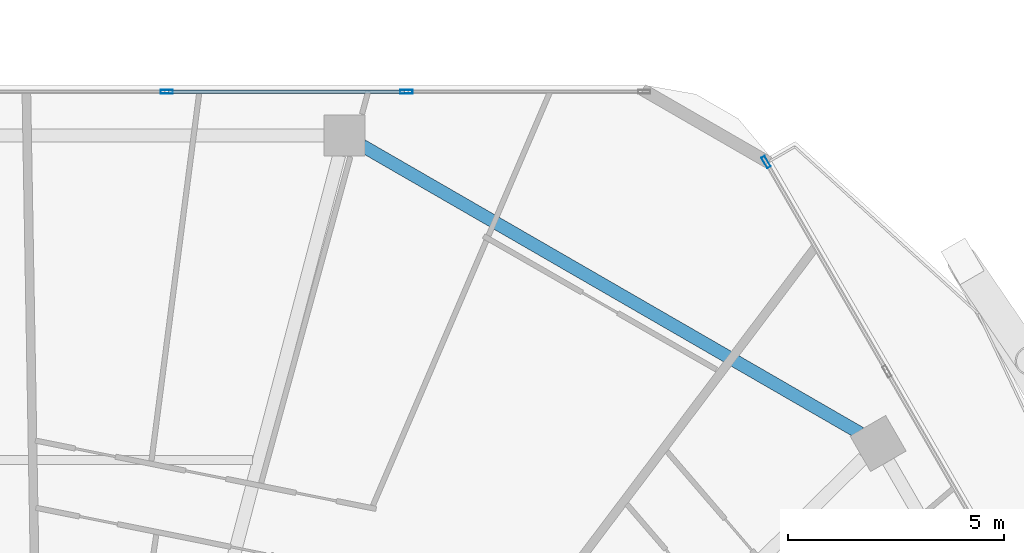
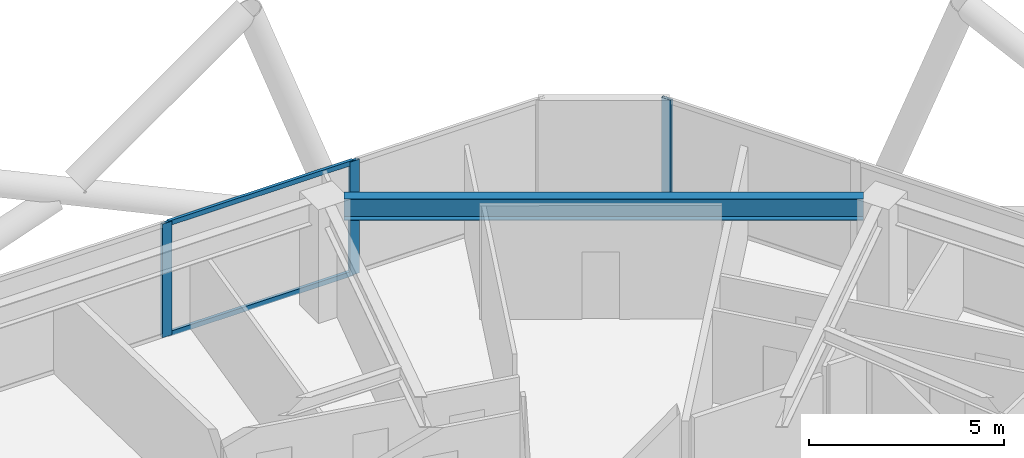
# One storey, part 17 of 29: 5 members, 1 beam, 2 elements without a shape of their own.
"""IFC4 building model written with IfcOpenShell, lengths in metres."""

from ifc_helpers import new_model, si_unit, direction, frame, origin, origin_2d, place, context, subcontext, project, spatial, hollow_rectangle, i_section, extrude, material, material_profile, profile_set, type_object, element, aggregate, save


model = new_model("IFC4")

# Units and contexts
model_context = context("Model", 3, precision=1e-05, world=origin(), true_north=direction((0.0, 1.0)))
body_context = subcontext(model_context, "Body", "Model", "MODEL_VIEW")
ifc_project = project(units=[si_unit("LENGTHUNIT", "METRE"), si_unit("AREAUNIT", "SQUARE_METRE"), si_unit("VOLUMEUNIT", "CUBIC_METRE"), si_unit("PLANEANGLEUNIT", "RADIAN"), si_unit("MASSUNIT", "GRAM", prefix="KILO")], contexts=[model_context])

# Site, building, storey
site_placement = place(None, origin())
site = spatial("IfcSite", under=ifc_project, at=site_placement, CompositionType="ELEMENT")
building_placement = place(site_placement, origin())
building = spatial("IfcBuilding", under=site, at=building_placement, Name="Zuhravey Tower", CompositionType="ELEMENT")
storey_placement = place(building_placement, frame((0.0, 0.0, 192.199951171875)))
storey = spatial("IfcBuildingStorey", under=building, at=storey_placement, Name="L48", CompositionType="ELEMENT", Elevation=192.199951171875)

# Curtain wall, members
ifc_material_1 = material(Name="Thermally broken anodised aluminium", Category="aluminium")
curtain_wall_type = type_object("IfcCurtainWallType", Name="Zone 1-2 Residential Curtain Wall CW3", PredefinedType="NOTDEFINED", material=ifc_material_1)
curtain_wall_1_placement = place(storey_placement, origin())
curtain_wall_1 = element("IfcCurtainWall", 1, at=curtain_wall_1_placement, inside=storey, type_object=curtain_wall_type, Name="L48 CW3 CW-L48-F2-1", PredefinedType="NOTDEFINED")
ifc_material_2 = material(Name="Anodised aluminium", Category="aluminium")
ifc_material_profile_1 = material_profile(ifc_material_2, hollow_rectangle(XDim=0.090087890625, YDim=0.284912109375, WallThickness=0.0048828125, at=origin_2d()), Name="ALU-RHS-90x285x5")
ifc_profile_set_1 = profile_set([ifc_material_profile_1], Name="Anodised aluminium")
member_type_1 = type_object("IfcMemberType", Name="Curtain-Wall Mullion 90x180", PredefinedType="MULLION", material=ifc_profile_set_1)
member_1_placement = place(storey_placement, frame((38.772216796875, 59.18310546875, 0.0), z_axis=(0.0, 0.0, 1.0), x_axis=(0.0, 1.0, 0.0)))
member_1 = element("IfcMember", 2, at=member_1_placement, type_object=member_type_1, Name="CW3 mullion 4", PredefinedType="MULLION", context=body_context, shape_type="SweptSolid", body=[
    extrude(hollow_rectangle(XDim=0.090087890625, YDim=0.284912109375, WallThickness=0.0048828125, at=origin_2d()), origin(), (0.0, 0.0, 1.0), 3.550048828125),
])
member_2_placement = place(storey_placement, frame((44.316650390625, 59.18310546875, 0.0), z_axis=(0.0, 0.0, 1.0), x_axis=(0.0, 1.0, 0.0)))
member_2 = element("IfcMember", 3, at=member_2_placement, type_object=member_type_1, Name="CW3 mullion 5", PredefinedType="MULLION", context=body_context, shape_type="SweptSolid", body=[
    extrude(hollow_rectangle(XDim=0.090087890625, YDim=0.284912109375, WallThickness=0.0048828125, at=origin_2d()), origin(), (0.0, 0.0, 1.0), 3.550048828125),
])

# Curtain wall, member
curtain_wall_2_placement = place(storey_placement, origin())
curtain_wall_2 = element("IfcCurtainWall", 4, at=curtain_wall_2_placement, inside=storey, type_object=curtain_wall_type, Name="L48 CW3 CW-L48-F1-1", PredefinedType="NOTDEFINED")
member_3_placement = place(storey_placement, frame((52.63330078125, 57.556640625, 0.0), z_axis=(0.0, 0.0, 1.0), x_axis=(0.866024234542, 0.500002025181, 0.0)))
member_3 = element("IfcMember", 5, at=member_3_placement, type_object=member_type_1, Name="CW3 mullion 1", PredefinedType="MULLION", context=body_context, shape_type="SweptSolid", body=[
    extrude(hollow_rectangle(XDim=0.090087890625, YDim=0.284912109375, WallThickness=0.0048828125, at=origin_2d()), origin(), (0.0, 0.0, 1.0), 3.550048828125),
])
aggregate(curtain_wall_2, [member_3])

# Member
ifc_material_profile_2 = material_profile(ifc_material_2, hollow_rectangle(XDim=0.090087890625, YDim=0.14990234375, WallThickness=0.0048828125, at=origin_2d()), Name="ALU-RHS-90x150x5")
ifc_profile_set_2 = profile_set([ifc_material_profile_2], Name="Anodised aluminium")
member_type_2 = type_object("IfcMemberType", Name="Curtain-Wall Transom 90x150", PredefinedType="USERDEFINED", material=ifc_profile_set_2)
member_4_placement = place(storey_placement, frame((38.817138671875, 59.18310546875, 0.045166015625), z_axis=(1.0, 0.0, 0.0), x_axis=(0.0, 1.0, 0.0)))
member_4 = element("IfcMember", 6, at=member_4_placement, type_object=member_type_2, Name="CW3 transom 4.1", ObjectType="TRANSOM", PredefinedType="USERDEFINED", context=body_context, shape_type="SweptSolid", body=[
    extrude(hollow_rectangle(XDim=0.090087890625, YDim=0.14990234375, WallThickness=0.0048828125, at=origin_2d()), origin(), (0.0, 0.0, 1.0), 5.45458984375),
])

member_5_placement = place(storey_placement, frame((38.817138671875, 59.18310546875, 3.505126953125), z_axis=(1.0, 0.0, 0.0), x_axis=(0.0, 1.0, 0.0)))
member_5 = element("IfcMember", 7, at=member_5_placement, type_object=member_type_2, Name="CW3 transom 4.2", ObjectType="TRANSOM", PredefinedType="USERDEFINED", context=body_context, shape_type="SweptSolid", body=[
    extrude(hollow_rectangle(XDim=0.090087890625, YDim=0.14990234375, WallThickness=0.0048828125, at=origin_2d()), origin(), (0.0, 0.0, 1.0), 5.45458984375),
])

aggregate(curtain_wall_1, [member_1, member_2, member_4, member_5])

# Beam
ifc_material_3 = material(Name="Steel SM355", Category="steel")
ifc_material_profile_3 = material_profile(ifc_material_3, i_section(OverallWidth=0.300048828125, OverallDepth=0.679931640625, WebThickness=0.012939453125, FlangeThickness=0.02197265625, at=origin_2d()), Name="H-680x300x13x22")
ifc_profile_set_3 = profile_set([ifc_material_profile_3], Name="Steel SM355")
beam_type = type_object("IfcBeamType", Name="Perimeter Ring Beam H680x300", PredefinedType="BEAM", material=ifc_profile_set_3)
beam_placement = place(storey_placement, frame((54.8115234375, 51.28564453125, 3.2099609375), z_axis=(-0.866029041019, 0.499993700073, 0.0), x_axis=(-0.499993700073, -0.866029041019, 0.0)))
element("IfcBeam", 8, at=beam_placement, inside=storey, type_object=beam_type, Name="L48 PB2 BM-L48-PB-02", PredefinedType="BEAM", context=body_context, shape_type="SweptSolid", body=[
    extrude(i_section(OverallWidth=0.300048828125, OverallDepth=0.679931640625, WebThickness=0.012939453125, FlangeThickness=0.02197265625, at=origin_2d()), origin(), (0.0, 0.0, 1.0), 13.297119140625),
])

save(model, "model.ifc")
